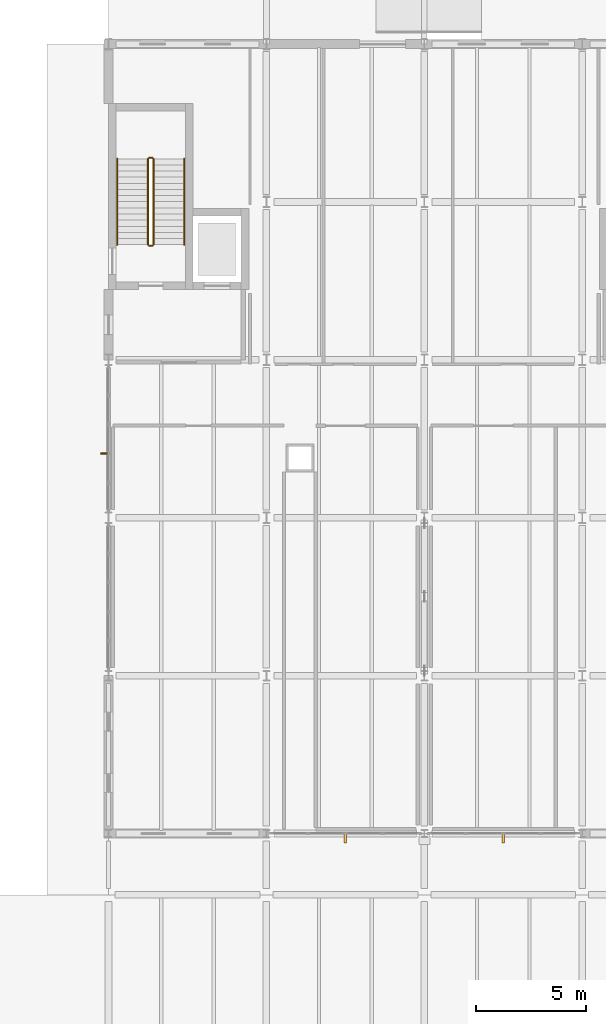
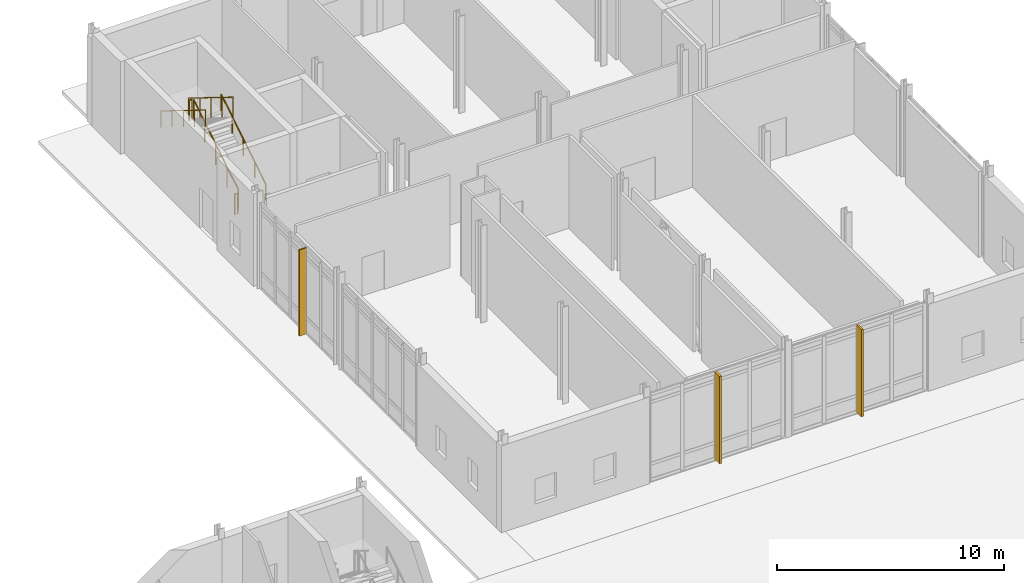
# One storey, part 84 of 89: 6 railings, 3 shading devices.
"""IFC4 building model written with IfcOpenShell, lengths in metres."""

from ifc_helpers import new_model, si_unit, direction, frame, origin, origin_2d, place, context, subcontext, project, spatial, rectangle, circle, extrude, material, layer, layer_set, type_object, element, save


model = new_model("IFC4")

# Units and contexts
model_context = context("Model", 3, precision=1e-05, world=origin(), true_north=direction((0.0, 1.0)))
body_context = subcontext(model_context, "Body", "Model", "MODEL_VIEW")
ifc_project = project(units=[si_unit("LENGTHUNIT", "METRE"), si_unit("AREAUNIT", "SQUARE_METRE"), si_unit("VOLUMEUNIT", "CUBIC_METRE"), si_unit("PLANEANGLEUNIT", "RADIAN"), si_unit("MASSUNIT", "GRAM", prefix="KILO")], contexts=[model_context])

# Site, building, storey
site_placement = place(None, origin())
site = spatial("IfcSite", under=ifc_project, at=site_placement, CompositionType="ELEMENT")
building_placement = place(site_placement, origin())
building = spatial("IfcBuilding", under=site, at=building_placement, Name="Zarrinpeak Specialist Clinic", CompositionType="ELEMENT")
storey_placement = place(building_placement, origin())
storey = spatial("IfcBuildingStorey", under=building, at=storey_placement, Name="L00", CompositionType="ELEMENT", Elevation=0.0)

# Railings
ifc_material_1 = material(Name="Laminated Safety Glass and Stainless Steel 316", Category="steel")
ifc_layer_1 = layer(ifc_material_1, 0.06005859375)
ifc_layer_set_1 = layer_set([ifc_layer_1], Name="Laminated Safety Glass and Stainless Steel 316")
railing_type_1 = type_object("IfcRailingType", Name="RL-GRD115", PredefinedType="GUARDRAIL", material=ifc_layer_set_1)
railing_1_placement = place(storey_placement, frame((38.050048828125, 108.85009765625, 0.17333984375)))
element("IfcRailing", 1, at=railing_1_placement, inside=storey, type_object=railing_type_1, Name="L00 ST-11 stair guard 1", PredefinedType="GUARDRAIL", context=body_context, shape_type="SweptSolid", body=[
    extrude(circle(Radius=0.02392578125, at=origin_2d()), frame((0.0, 0.0, 1.076171875), z_axis=(0.0, 0.850251603719, 0.526376491091), x_axis=(-1.0, 0.0, 0.0)), (0.0, 0.0, 1.0), 4.6103515625),
    extrude(circle(Radius=0.02099609375, at=origin_2d()), origin(), (0.0, 0.0, 1.0), 1.052001953125),
    extrude(circle(Radius=0.02099609375, at=origin_2d()), frame((0.0, 0.97998046875, 0.606689453125)), (0.0, 0.0, 1.0), 1.052001953125),
    extrude(circle(Radius=0.02099609375, at=origin_2d()), frame((0.0, 1.9599609375, 1.21337890625)), (0.0, 0.0, 1.0), 1.052001953125),
    extrude(circle(Radius=0.02099609375, at=origin_2d()), frame((0.0, 2.93994140625, 1.820068359375)), (0.0, 0.0, 1.0), 1.052001953125),
    extrude(circle(Radius=0.02099609375, at=origin_2d()), frame((0.0, 3.919921875, 2.4267578125)), (0.0, 0.0, 1.0), 1.052001953125),
])
railing_2_placement = place(storey_placement, frame((38.0, 112.820068359375, 2.60009765625)))
element("IfcRailing", 2, at=railing_2_placement, inside=storey, type_object=railing_type_1, Name="L00 ST-11 stair guard 2", PredefinedType="GUARDRAIL", context=body_context, shape_type="SweptSolid", body=[
    extrude(circle(Radius=0.02392578125, at=origin_2d()), frame((0.0, 0.0, 1.076171875), z_axis=(-1.0, 0.0, 0.0), x_axis=(0.0, -1.0, 0.0)), (0.0, 0.0, 1.0), 0.14990234375),
    extrude(circle(Radius=0.02099609375, at=origin_2d()), origin(), (0.0, 0.0, 1.0), 1.052001953125),
    extrude(circle(Radius=0.02099609375, at=origin_2d()), frame((-0.14990234375, 0.0, 0.0)), (0.0, 0.0, 1.0), 1.052001953125),
])
railing_3_placement = place(storey_placement, frame((37.800048828125, 112.77001953125, 2.7734375)))
element("IfcRailing", 3, at=railing_3_placement, inside=storey, type_object=railing_type_1, Name="L00 ST-11 stair guard 3", PredefinedType="GUARDRAIL", context=body_context, shape_type="SweptSolid", body=[
    extrude(circle(Radius=0.02392578125, at=origin_2d()), frame((0.0, 0.0, 1.076171875), z_axis=(0.0, -0.850275303828, 0.526338206574), x_axis=(1.0, 0.0, 0.0)), (0.0, 0.0, 1.0), 4.610107421875),
    extrude(circle(Radius=0.02099609375, at=origin_2d()), origin(), (0.0, 0.0, 1.0), 1.052001953125),
    extrude(circle(Radius=0.02099609375, at=origin_2d()), frame((0.0, -0.97998046875, 0.606689453125)), (0.0, 0.0, 1.0), 1.052001953125),
    extrude(circle(Radius=0.02099609375, at=origin_2d()), frame((0.0, -1.9599609375, 1.21337890625)), (0.0, 0.0, 1.0), 1.052001953125),
    extrude(circle(Radius=0.02099609375, at=origin_2d()), frame((0.0, -2.93994140625, 1.81982421875)), (0.0, 0.0, 1.0), 1.052001953125),
    extrude(circle(Radius=0.02099609375, at=origin_2d()), frame((0.0, -3.919921875, 2.426513671875)), (0.0, 0.0, 1.0), 1.052001953125),
])
railing_4_placement = place(storey_placement, frame((38.0, 108.800048828125, 0.0)))
element("IfcRailing", 4, at=railing_4_placement, inside=storey, type_object=railing_type_1, Name="L00 ST-11 stair guard 4", PredefinedType="GUARDRAIL", context=body_context, shape_type="SweptSolid", body=[
    extrude(circle(Radius=0.02392578125, at=origin_2d()), frame((0.0, 0.0, 1.076171875), z_axis=(-1.0, 0.0, 0.0), x_axis=(0.0, -1.0, 0.0)), (0.0, 0.0, 1.0), 0.14990234375),
    extrude(circle(Radius=0.02099609375, at=origin_2d()), origin(), (0.0, 0.0, 1.0), 1.052001953125),
    extrude(circle(Radius=0.02099609375, at=origin_2d()), frame((-0.14990234375, 0.0, 0.0)), (0.0, 0.0, 1.0), 1.052001953125),
])
ifc_material_2 = material(Name="Brushed Stainless Steel 316 Handrail", Category="steel")
ifc_layer_2 = layer(ifc_material_2, 0.050048828125)
ifc_layer_set_2 = layer_set([ifc_layer_2], Name="Brushed Stainless Steel 316 Handrail")
railing_type_2 = type_object("IfcRailingType", Name="RL-HND92", PredefinedType="HANDRAIL", material=ifc_layer_set_2)
railing_5_placement = place(storey_placement, frame((39.449951171875, 108.85009765625, 0.17333984375)))
element("IfcRailing", 5, at=railing_5_placement, inside=storey, type_object=railing_type_2, Name="L00 ST-11 stair handrail 1", PredefinedType="HANDRAIL", context=body_context, shape_type="SweptSolid", body=[
    extrude(circle(Radius=0.02392578125, at=origin_2d()), frame((0.0, 0.0, 0.8759765625), z_axis=(0.0, 0.850251603719, 0.526376491091), x_axis=(-1.0, 0.0, 0.0)), (0.0, 0.0, 1.0), 4.6103515625),
    extrude(circle(Radius=0.02099609375, at=origin_2d()), origin(), (0.0, 0.0, 1.0), 0.851806640625),
    extrude(circle(Radius=0.02099609375, at=origin_2d()), frame((0.0, 0.97998046875, 0.606689453125)), (0.0, 0.0, 1.0), 0.851806640625),
    extrude(circle(Radius=0.02099609375, at=origin_2d()), frame((0.0, 1.9599609375, 1.21337890625)), (0.0, 0.0, 1.0), 0.851806640625),
    extrude(circle(Radius=0.02099609375, at=origin_2d()), frame((0.0, 2.93994140625, 1.820068359375)), (0.0, 0.0, 1.0), 0.851806640625),
    extrude(circle(Radius=0.02099609375, at=origin_2d()), frame((0.0, 3.919921875, 2.4267578125)), (0.0, 0.0, 1.0), 0.851806640625),
])
railing_6_placement = place(storey_placement, frame((36.39990234375, 112.77001953125, 2.7734375)))
element("IfcRailing", 6, at=railing_6_placement, inside=storey, type_object=railing_type_2, Name="L00 ST-11 stair handrail 2", PredefinedType="HANDRAIL", context=body_context, shape_type="SweptSolid", body=[
    extrude(circle(Radius=0.02392578125, at=origin_2d()), frame((0.0, 0.0, 0.8759765625), z_axis=(0.0, -0.850275303828, 0.526338206574), x_axis=(1.0, 0.0, 0.0)), (0.0, 0.0, 1.0), 4.610107421875),
    extrude(circle(Radius=0.02099609375, at=origin_2d()), origin(), (0.0, 0.0, 1.0), 0.851806640625),
    extrude(circle(Radius=0.02099609375, at=origin_2d()), frame((0.0, -0.97998046875, 0.606689453125)), (0.0, 0.0, 1.0), 0.851806640625),
    extrude(circle(Radius=0.02099609375, at=origin_2d()), frame((0.0, -1.9599609375, 1.21337890625)), (0.0, 0.0, 1.0), 0.851806640625),
    extrude(circle(Radius=0.02099609375, at=origin_2d()), frame((0.0, -2.93994140625, 1.81982421875)), (0.0, 0.0, 1.0), 0.851806640625),
    extrude(circle(Radius=0.02099609375, at=origin_2d()), frame((0.0, -3.919921875, 2.426513671875)), (0.0, 0.0, 1.0), 0.851806640625),
])

# Shading devices
ifc_material_3 = material(Name="Anodised Bronze Aluminium", Category="aluminium")
shading_device_type_1 = type_object("IfcShadingDeviceType", Name="SHD-FIN-BZ", PredefinedType="JALOUSIE", material=ifc_material_3)
shading_device_placement = place(storey_placement, frame((35.8349609375, 99.3349609375, -0.014892578125), z_axis=(0.0, 0.0, 1.0), x_axis=(1.0, 0.0, 0.0)))
element("IfcShadingDevice", 7, at=shading_device_placement, inside=storey, type_object=shading_device_type_1, Name="L00 V6 Solar Control Fin FIN-083", PredefinedType="JALOUSIE", context=body_context, shape_type="SweptSolid", body=[
    extrude(rectangle(XDim=0.3798828125, YDim=0.074951171875, at=origin_2d()), origin(), (0.0, 0.0, 1.0), 4.625),
])
ifc_material_4 = material(Name="Glulam GL28h", Category="wood")
shading_device_type_2 = type_object("IfcShadingDeviceType", Name="SHD-FIN-GL", PredefinedType="USERDEFINED", material=ifc_material_4)
for number, where, z_axis, x_axis, name in (
    (8, (46.800048828125, 81.800048828125, -0.01513671875), (0.0, 0.0, 1.0), (1.0, 0.0, 0.0), "L00 V6 Cedar-Glulam Courtyard Fin FIN-081"),
    (9, (54.0, 81.800048828125, -0.01513671875), (0.0, 0.0, 1.0), (1.0, 0.0, 0.0), "L00 V6 Cedar-Glulam Courtyard Fin FIN-082"),
):
    element("IfcShadingDevice", number, at=place(storey_placement, frame(where, z_axis=z_axis, x_axis=x_axis)), inside=storey, type_object=shading_device_type_2, Name=name, ObjectType="SUNSHADE", PredefinedType="USERDEFINED", context=body_context, shape_type="SweptSolid", body=[
        extrude(rectangle(XDim=0.110107421875, YDim=0.449951171875, at=origin_2d()), origin(), (0.0, 0.0, 1.0), 4.695068359375),
    ])

save(model, "model.ifc")
